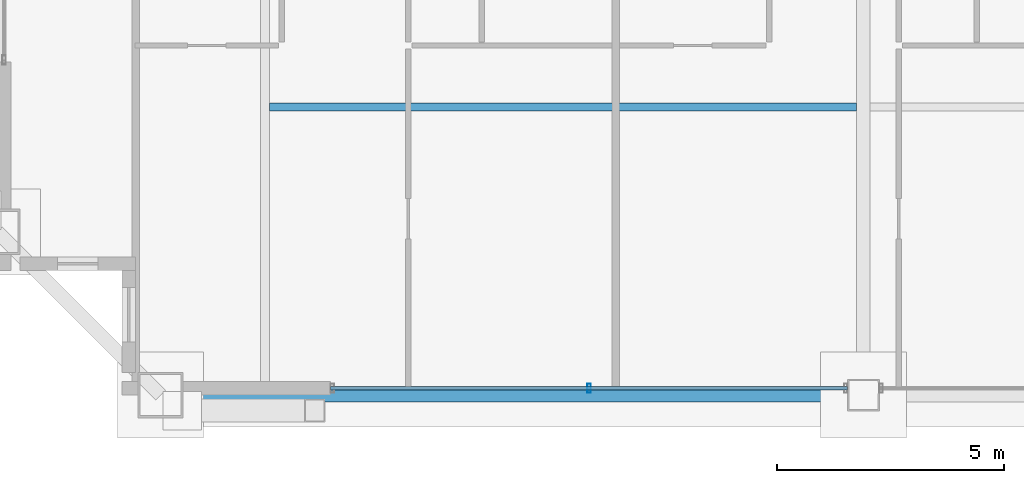
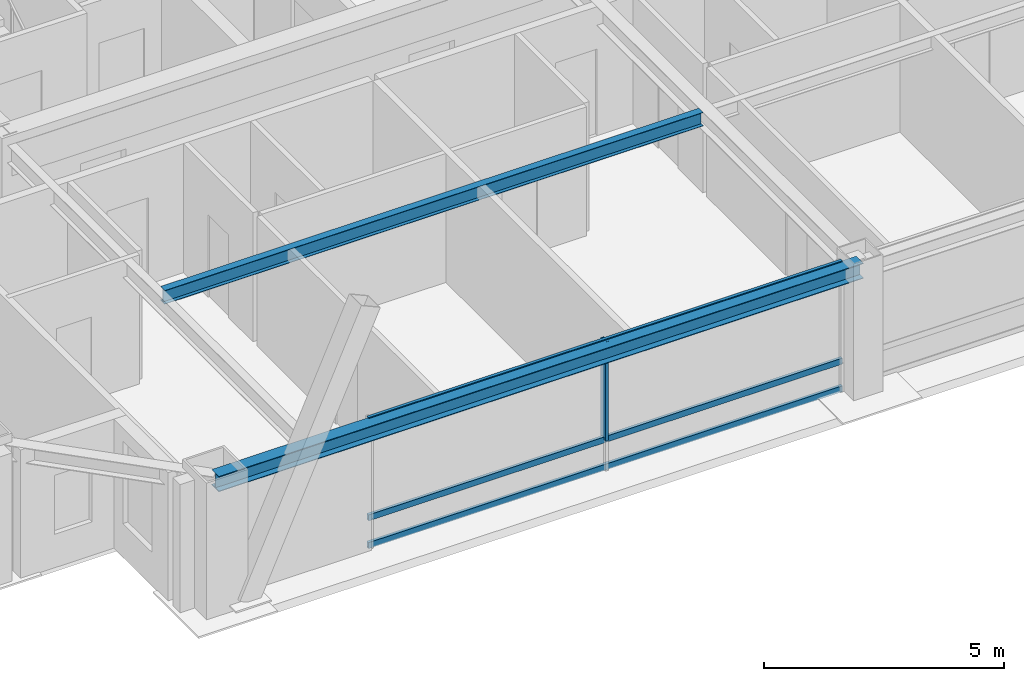
# One storey, part 5 of 35: 4 members, 2 beams, 1 element without a shape of its own.
"""IFC4 building model written with IfcOpenShell, lengths in metres."""

from ifc_helpers import new_model, si_unit, direction, frame, origin, origin_2d, place, context, subcontext, project, spatial, hollow_rectangle, i_section, extrude, source, transform, mapped, material, layer, layer_set, material_profile, profile_set, type_object, element, aggregate, save


model = new_model("IFC4")

# Units and contexts
model_context = context("Model", 3, precision=1e-05, world=origin(), true_north=direction((0.0, 1.0)))
body_context = subcontext(model_context, "Body", "Model", "MODEL_VIEW")
ifc_project = project(units=[si_unit("LENGTHUNIT", "METRE"), si_unit("AREAUNIT", "SQUARE_METRE"), si_unit("VOLUMEUNIT", "CUBIC_METRE"), si_unit("PLANEANGLEUNIT", "RADIAN"), si_unit("MASSUNIT", "GRAM", prefix="KILO"), si_unit("THERMODYNAMICTEMPERATUREUNIT", "KELVIN"), si_unit("POWERUNIT", "WATT")], contexts=[model_context])

# Site, building, storey
site_placement = place(None, origin())
site = spatial("IfcSite", under=ifc_project, at=site_placement, CompositionType="ELEMENT")
building_placement = place(site_placement, origin())
building = spatial("IfcBuilding", under=site, at=building_placement, Name="Yuzanri Waterfront Tower", CompositionType="ELEMENT")
storey_placement = place(building_placement, frame((0.0, 0.0, 285.60009765625)))
storey = spatial("IfcBuildingStorey", under=building, at=storey_placement, Name="L76", CompositionType="ELEMENT", Elevation=285.60009765625)

# Beams
ifc_material_1 = material(Name="Steel Q355B", Category="steel")
ifc_material_profile_1 = material_profile(ifc_material_1, i_section(OverallWidth=0.175048828125, OverallDepth=0.35009765625, WebThickness=0.007080078125, FlangeThickness=0.010986328125, at=origin_2d()), Name="HN 350x175x7x11")
ifc_profile_set_1 = profile_set([ifc_material_profile_1], Name="Steel Q355B")
beam_type_1 = type_object("IfcBeamType", Name="Floor Joist Q355B HN 350x175", PredefinedType="JOIST", material=ifc_profile_set_1)
shared_shape_1 = source(origin(), body_context, "Body", "SweptSolid", [
    extrude(i_section(OverallWidth=0.175048828125, OverallDepth=0.35009765625, WebThickness=0.007080078125, FlangeThickness=0.010986328125, at=origin_2d()), origin(), (0.0, 0.0, 1.0), 12.9501953125),
])
beam_1_placement = place(storey_placement, frame((23.89990234375, 13.050048828125, 3.10498046875), z_axis=(1.0, 0.0, 0.0), x_axis=(0.0, 1.0, 0.0)))
element("IfcBeam", 1, at=beam_1_placement, inside=storey, type_object=beam_type_1, Name="L76 South Bay Joist W", PredefinedType="JOIST", context=body_context, shape_type="MappedRepresentation", body=[
    mapped(shared_shape_1, transform((0.0, 0.0, 0.0), scale=1.0)),
])
ifc_material_2 = material(Name="Steel Q355B", Category="steel")
ifc_material_profile_2 = material_profile(ifc_material_2, i_section(OverallWidth=0.300048828125, OverallDepth=0.389892578125, WebThickness=0.010009765625, FlangeThickness=0.01611328125, at=origin_2d()), Name="HM 390x300x10x16")
ifc_profile_set_2 = profile_set([ifc_material_profile_2], Name="Steel Q355B")
beam_type_2 = type_object("IfcBeamType", Name="Perimeter Spandrel Q355B HM 390x300", PredefinedType="SPANDREL", material=ifc_profile_set_2)
shared_shape_2 = source(origin(), body_context, "Body", "SweptSolid", [
    extrude(i_section(OverallWidth=0.300048828125, OverallDepth=0.389892578125, WebThickness=0.010009765625, FlangeThickness=0.01611328125, at=origin_2d()), origin(), (0.0, 0.0, 1.0), 15.5),
])
beam_2_placement = place(storey_placement, frame((21.5, 6.699951171875, 3.0849609375), z_axis=(1.0, 0.0, 0.0), x_axis=(0.0, 1.0, 0.0)))
element("IfcBeam", 2, at=beam_2_placement, inside=storey, type_object=beam_type_2, Name="L76 Perimeter Spandrel S1-S2", PredefinedType="SPANDREL", context=body_context, shape_type="MappedRepresentation", body=[
    mapped(shared_shape_2, transform((0.0, 0.0, 0.0), scale=1.0)),
])

# Curtain wall, members
ifc_material_3 = material(Name="Anodized Architectural Bronze", Category="metal")
ifc_layer = layer(ifc_material_3, 0.159912109375)
ifc_layer_set = layer_set([ifc_layer], Name="Anodized Architectural Bronze")
curtain_wall_type = type_object("IfcCurtainWallType", Name="Anodized Bronze High-Rise Penthouse High-Wind Unitized Curtain Wall 6900", PredefinedType="NOTDEFINED", material=ifc_layer_set)
curtain_wall_placement = place(storey_placement, origin())
curtain_wall = element("IfcCurtainWall", 3, at=curtain_wall_placement, inside=storey, type_object=curtain_wall_type, Name="L76 Curtain Wall CW-L76-SL", PredefinedType="NOTDEFINED")
ifc_material_4 = material(Name="Anodized Architectural Bronze", Category="metal")
ifc_material_profile_3 = material_profile(ifc_material_4, hollow_rectangle(XDim=0.074951171875, YDim=0.199951171875, WallThickness=0.00390625, at=origin_2d()), Name="CWM 75x200")
ifc_profile_set_3 = profile_set([ifc_material_profile_3], Name="Anodized Architectural Bronze")
member_type_1 = type_object("IfcMemberType", Name="Anodized Bronze Primary Curtain-Wall Mullion 75x200", PredefinedType="MULLION", material=ifc_profile_set_3)
shared_shape_3 = source(origin(), body_context, "Body", "SweptSolid", [
    extrude(hollow_rectangle(XDim=0.074951171875, YDim=0.199951171875, WallThickness=0.00390625, at=origin_2d()), origin(), (0.0, 0.0, 1.0), 2.52392578125),
])
member_1_placement = place(storey_placement, frame((30.949951171875, 6.85009765625, 0.755859375), z_axis=(0.0, 0.0, 1.0), x_axis=(1.0, 0.0, 0.0)))
member_1 = element("IfcMember", 4, at=member_1_placement, type_object=member_type_1, Name="CW-L76-SL Upper Mullion 01", PredefinedType="MULLION", context=body_context, shape_type="MappedRepresentation", body=[
    mapped(shared_shape_3, transform((0.0, 0.0, 0.0), scale=1.0)),
])
ifc_material_5 = material(Name="Anodized Architectural Bronze", Category="metal")
ifc_material_profile_4 = material_profile(ifc_material_5, hollow_rectangle(XDim=0.074951171875, YDim=0.14990234375, WallThickness=0.00390625, at=origin_2d()), Name="CWT 75x150")
ifc_profile_set_4 = profile_set([ifc_material_profile_4], Name="Anodized Architectural Bronze")
member_type_2 = type_object("IfcMemberType", Name="Anodized Bronze Primary Curtain-Wall Transom 75x150", PredefinedType="USERDEFINED", material=ifc_profile_set_4)
shared_shape_4 = source(origin(), body_context, "Body", "SweptSolid", [
    extrude(hollow_rectangle(XDim=0.074951171875, YDim=0.14990234375, WallThickness=0.00390625, at=origin_2d()), origin(), (0.0, 0.0, 1.0), 11.39990234375),
])
member_2_placement = place(storey_placement, frame((25.25, 6.85009765625, 0.0498046875), z_axis=(1.0, 0.0, 0.0), x_axis=(0.0, 1.0, 0.0)))
member_2 = element("IfcMember", 5, at=member_2_placement, type_object=member_type_2, Name="CW-L76-SL Transom 1", ObjectType="TRANSOM", PredefinedType="USERDEFINED", context=body_context, shape_type="MappedRepresentation", body=[
    mapped(shared_shape_4, transform((0.0, 0.0, 0.0), scale=1.0)),
])
member_3_placement = place(storey_placement, frame((25.25, 6.85009765625, 0.75390625), z_axis=(1.0, 0.0, 0.0), x_axis=(0.0, 1.0, 0.0)))
member_3 = element("IfcMember", 6, at=member_3_placement, type_object=member_type_2, Name="CW-L76-SL Transom 2", ObjectType="TRANSOM", PredefinedType="USERDEFINED", context=body_context, shape_type="MappedRepresentation", body=[
    mapped(shared_shape_4, transform((0.0, 0.0, 0.0), scale=1.0)),
])
member_4_placement = place(storey_placement, frame((25.25, 6.85009765625, 3.22998046875), z_axis=(1.0, 0.0, 0.0), x_axis=(0.0, 1.0, 0.0)))
member_4 = element("IfcMember", 7, at=member_4_placement, type_object=member_type_2, Name="CW-L76-SL Transom 3", ObjectType="TRANSOM", PredefinedType="USERDEFINED", context=body_context, shape_type="MappedRepresentation", body=[
    mapped(shared_shape_4, transform((0.0, 0.0, 0.0), scale=1.0)),
])
aggregate(curtain_wall, [member_1, member_2, member_3, member_4])

save(model, "model.ifc")
